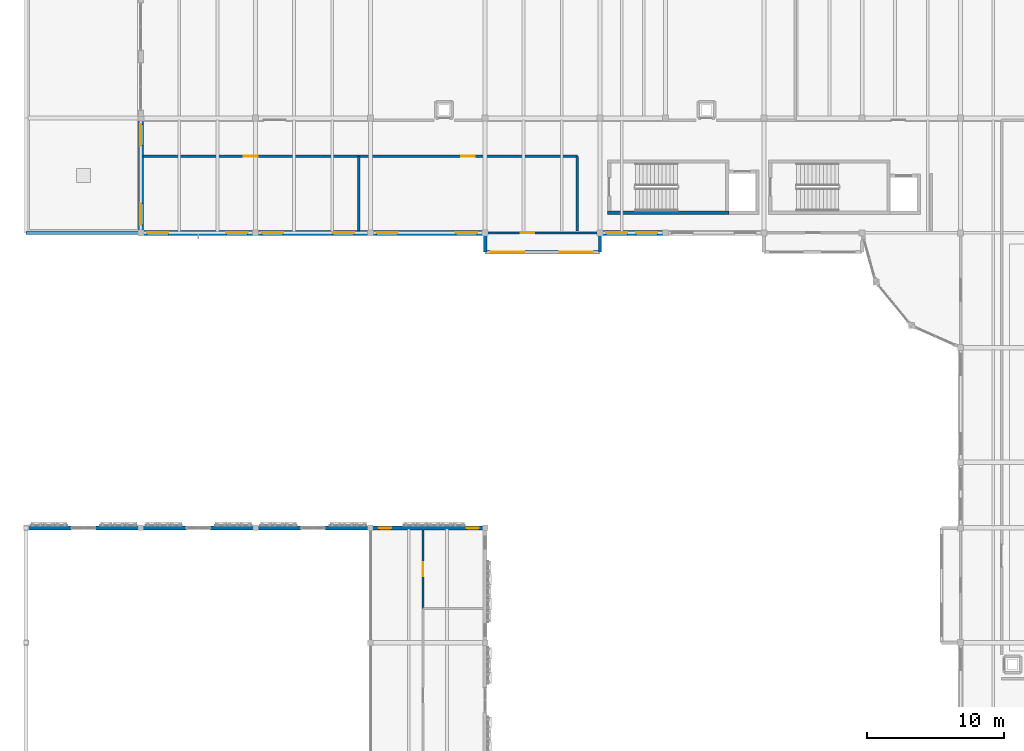
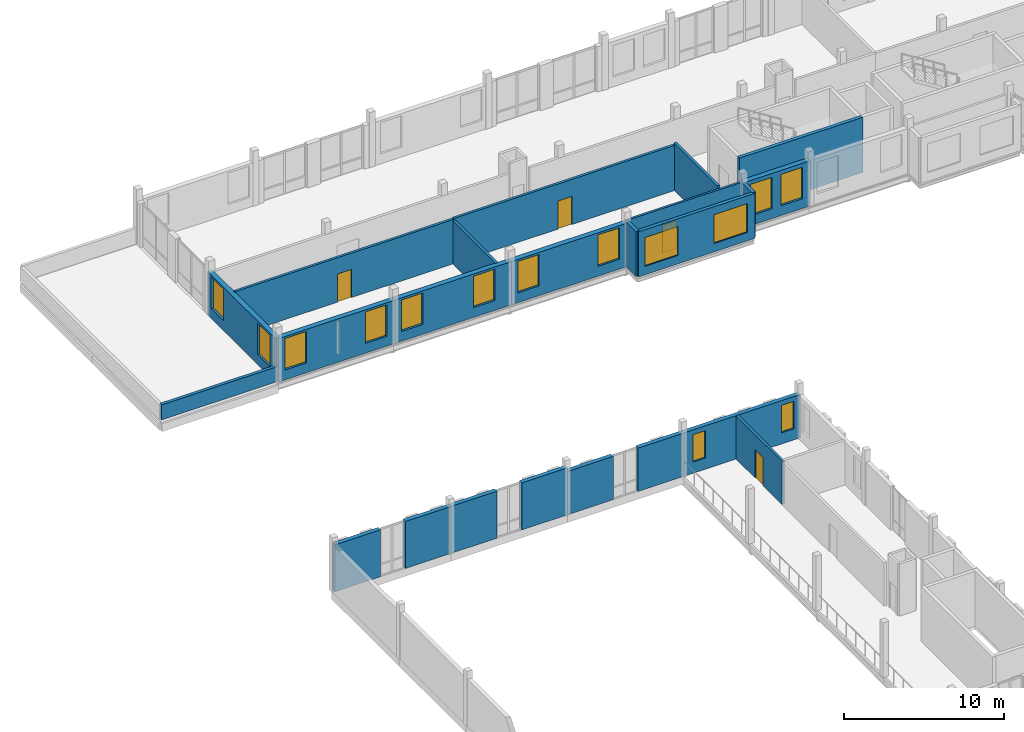
# One storey, part 59 of 81: 23 walls, 14 windows, 4 doors, 18 openings.
"""IFC4 building model written with IfcOpenShell, lengths in metres."""

from ifc_helpers import new_model, si_unit, direction, frame, frame_2d, origin, place, context, subcontext, project, spatial, rectangle, extrude, material, layer, layer_set, type_object, element, fill, save


model = new_model("IFC4")

# Units and contexts
model_context = context("Model", 3, precision=1e-05, world=origin(), true_north=direction((0.0, 1.0)))
body_context = subcontext(model_context, "Body", "Model", "MODEL_VIEW")
ifc_project = project(units=[si_unit("LENGTHUNIT", "METRE"), si_unit("AREAUNIT", "SQUARE_METRE"), si_unit("VOLUMEUNIT", "CUBIC_METRE"), si_unit("PLANEANGLEUNIT", "RADIAN"), si_unit("MASSUNIT", "GRAM", prefix="KILO")], contexts=[model_context])

# Site, building, storey
site_placement = place(None, origin())
site = spatial("IfcSite", under=ifc_project, at=site_placement, CompositionType="ELEMENT")
building_placement = place(site_placement, origin())
building = spatial("IfcBuilding", under=site, at=building_placement, Name="Kahlenmark Community Centre", CompositionType="ELEMENT")
storey_placement = place(building_placement, frame((0.0, 0.0, 9.60009765625)))
storey = spatial("IfcBuildingStorey", under=building, at=storey_placement, Name="L02", CompositionType="ELEMENT", Elevation=9.60009765625)

# Walls
ifc_material_1 = material(Name="Concrete C35/45", Category="concrete")
ifc_layer_1 = layer(ifc_material_1, 0.25)
ifc_layer_set_1 = layer_set([ifc_layer_1], Name="Concrete C35/45")
wall_type_1 = type_object("IfcWallType", Name="WT-CORE-250", PredefinedType="SHEAR", material=ifc_layer_set_1)
wall_1_placement = place(storey_placement, frame((46.550048828125, 99.074951171875, 0.0), z_axis=(0.0, 0.0, 1.0), x_axis=(1.0, 0.0, 0.0)))
element("IfcWall", 1, at=wall_1_placement, inside=storey, type_object=wall_type_1, Name="Core K4 shear wall WL-CORE-K4-L02-0121", PredefinedType="SHEAR", context=body_context, shape_type="SweptSolid", body=[
    extrude(rectangle(XDim=8.89990234375, YDim=0.25, at=frame_2d((4.449951171875, 0.0))), origin(), (0.0, 0.0, 1.0), 4.199951171875),
])
ifc_material_2 = material(Name="Cross-laminated timber CLT C24", Category="wood")
ifc_layer_2 = layer(ifc_material_2, 0.239990234375)
ifc_layer_set_2 = layer_set([ifc_layer_2], Name="Cross-laminated timber CLT C24")
wall_type_2 = type_object("IfcWallType", Name="WT-EW-240", PredefinedType="SOLIDWALL", material=ifc_layer_set_2)
wall_2_placement = place(storey_placement, frame((37.60009765625, 97.449951171875, 0.0), z_axis=(0.0, 0.0, 1.0), x_axis=(0.0, -1.0, 0.0)))
element("IfcWall", 2, at=wall_2_placement, inside=storey, type_object=wall_type_2, Name="Bay oriel wall WL-ORI-L02-0823", PredefinedType="SOLIDWALL", context=body_context, shape_type="SweptSolid", body=[
    extrude(rectangle(XDim=1.25, YDim=0.239990234375, at=frame_2d((0.625, 0.0))), origin(), (0.0, 0.0, 1.0), 3.449951171875),
])

# Wall, openings, windows
wall_3_placement = place(storey_placement, frame((37.60009765625, 96.199951171875, 0.0), z_axis=(0.0, 0.0, 1.0), x_axis=(1.0, 0.0, 0.0)))
wall_3 = element("IfcWall", 3, at=wall_3_placement, inside=storey, type_object=wall_type_2, Name="Bay oriel wall WL-ORI-L02-0824", PredefinedType="SOLIDWALL", context=body_context, shape_type="SweptSolid", body=[
    extrude(rectangle(XDim=8.39990234375, YDim=0.239990234375, at=frame_2d((4.199951171875, 0.0))), origin(), (0.0, 0.0, 1.0), 3.449951171875),
])
opening_1_placement = place(wall_3_placement, frame((0.4599609375, 0.0, 0.64990234375)))
opening_1 = element("IfcOpeningElement", 4, at=opening_1_placement, cuts=wall_3, Name="Opening W-240X220", PredefinedType="OPENING", context=body_context, shape_type="SweptSolid", body=[
    extrude(rectangle(XDim=2.39990234375, YDim=2.199951171875, at=frame_2d((1.199951171875, 1.10009765625))), frame((0.0, 0.1298828125, 0.0), z_axis=(0.0, -1.0, 0.0), x_axis=(1.0, 0.0, 0.0)), (0.0, 0.0, 1.0), 0.260009765625),
])
opening_2_placement = place(wall_3_placement, frame((5.4599609375, 0.0, 0.64990234375)))
opening_2 = element("IfcOpeningElement", 5, at=opening_2_placement, cuts=wall_3, Name="Opening W-240X220", PredefinedType="OPENING", context=body_context, shape_type="SweptSolid", body=[
    extrude(rectangle(XDim=2.39990234375, YDim=2.199951171875, at=frame_2d((1.199951171875, 1.10009765625))), frame((0.0, 0.1298828125, 0.0), z_axis=(0.0, -1.0, 0.0), x_axis=(1.0, 0.0, 0.0)), (0.0, 0.0, 1.0), 0.260009765625),
])
ifc_material_3 = material(Name="Triple low-e insulated glazing in timber-aluminium frame", Category="wood")
window_type_1 = type_object("IfcWindowType", Name="WNT-240X220", PartitioningType="TRIPLE_PANEL_VERTICAL", PredefinedType="WINDOW", material=ifc_material_3)
window_1_placement = place(opening_1_placement, origin())
window_1 = element("IfcWindow", 6, at=window_1_placement, inside=storey, type_object=window_type_1, Name="Window W-240X220 #0513", OverallHeight=2.199951171875, OverallWidth=2.39990234375, PartitioningType="TRIPLE_PANEL_VERTICAL", PredefinedType="WINDOW", context=body_context, shape_type="SweptSolid", body=[
    extrude(rectangle(XDim=2.39990234375, YDim=2.199951171875, at=frame_2d((1.199951171875, 1.10009765625))), frame((0.0, 0.030029296875, 0.0), z_axis=(0.0, -1.0, 0.0), x_axis=(1.0, 0.0, 0.0)), (0.0, 0.0, 1.0), 0.06005859375),
])
fill(opening_1, window_1)
window_2_placement = place(opening_2_placement, origin())
window_2 = element("IfcWindow", 7, at=window_2_placement, inside=storey, type_object=window_type_1, Name="Window W-240X220 #0514", OverallHeight=2.199951171875, OverallWidth=2.39990234375, PartitioningType="TRIPLE_PANEL_VERTICAL", PredefinedType="WINDOW", context=body_context, shape_type="SweptSolid", body=[
    extrude(rectangle(XDim=2.39990234375, YDim=2.199951171875, at=frame_2d((1.199951171875, 1.10009765625))), frame((0.0, 0.030029296875, 0.0), z_axis=(0.0, -1.0, 0.0), x_axis=(1.0, 0.0, 0.0)), (0.0, 0.0, 1.0), 0.06005859375),
])
fill(opening_2, window_2)

# Walls
wall_4_placement = place(storey_placement, frame((46.0, 96.199951171875, 0.0), z_axis=(0.0, 0.0, 1.0), x_axis=(0.0, 1.0, 0.0)))
element("IfcWall", 8, at=wall_4_placement, inside=storey, type_object=wall_type_2, Name="Bay oriel wall WL-ORI-L02-0825", PredefinedType="SOLIDWALL", context=body_context, shape_type="SweptSolid", body=[
    extrude(rectangle(XDim=1.25, YDim=0.239990234375, at=frame_2d((0.625, 0.0))), origin(), (0.0, 0.0, 1.0), 3.449951171875),
])
ifc_layer_3 = layer(ifc_material_2, 0.300048828125)
ifc_layer_set_3 = layer_set([ifc_layer_3], Name="Cross-laminated timber CLT C24")
wall_type_3 = type_object("IfcWallType", Name="WT-EW-300", PredefinedType="SOLIDWALL", material=ifc_layer_set_3)
wall_5_placement = place(storey_placement, frame((12.39990234375, 76.0, 0.0), z_axis=(0.0, 0.0, 1.0), x_axis=(-1.0, 0.0, 0.0)))
element("IfcWall", 9, at=wall_5_placement, inside=storey, type_object=wall_type_3, Name="Basketweave backup wall WL-EXT-L02-0450", PredefinedType="SOLIDWALL", context=body_context, shape_type="SweptSolid", body=[
    extrude(rectangle(XDim=3.2998046875, YDim=0.300048828125, at=frame_2d((1.64990234375, 0.0))), origin(), (0.0, 0.0, 1.0), 3.58984375),
])
for number, where, z_axis, x_axis, name in (
    (10, (7.300048828125, 76.0, 0.0), (0.0, 0.0, 1.0), (-1.0, 0.0, 0.0), "Basketweave backup wall WL-EXT-L02-0451"),
    (11, (20.800048828125, 76.0, 0.0), (0.0, 0.0, 1.0), (-1.0, 0.0, 0.0), "Basketweave backup wall WL-EXT-L02-0452"),
    (12, (15.699951171875, 76.0, 0.0), (0.0, 0.0, 1.0), (-1.0, 0.0, 0.0), "Basketweave backup wall WL-EXT-L02-0453"),
):
    element("IfcWall", number, at=place(storey_placement, frame(where, z_axis=z_axis, x_axis=x_axis)), inside=storey, type_object=wall_type_3, Name=name, PredefinedType="SOLIDWALL", context=body_context, shape_type="SweptSolid", body=[
        extrude(rectangle(XDim=3.300048828125, YDim=0.300048828125, at=frame_2d((1.64990234375, 0.0))), origin(), (0.0, 0.0, 1.0), 3.58984375),
    ])
for number, where, z_axis, x_axis, name in (
    (13, (29.199951171875, 76.0, 0.0), (0.0, 0.0, 1.0), (-1.0, 0.0, 0.0), "Basketweave backup wall WL-EXT-L02-0454"),
    (14, (24.10009765625, 76.0, 0.0), (0.0, 0.0, 1.0), (-1.0, 0.0, 0.0), "Basketweave backup wall WL-EXT-L02-0455"),
):
    element("IfcWall", number, at=place(storey_placement, frame(where, z_axis=z_axis, x_axis=x_axis)), inside=storey, type_object=wall_type_3, Name=name, PredefinedType="SOLIDWALL", context=body_context, shape_type="SweptSolid", body=[
        extrude(rectangle(XDim=3.300048828125, YDim=0.300048828125, at=frame_2d((1.64990234375, 0.0))), origin(), (0.0, 0.0, 1.0), 3.309814453125),
    ])

# Wall, openings, windows
wall_6_placement = place(storey_placement, frame((37.60009765625, 76.0, 0.0), z_axis=(0.0, 0.0, 1.0), x_axis=(-1.0, 0.0, 0.0)))
wall_6 = element("IfcWall", 15, at=wall_6_placement, inside=storey, type_object=wall_type_3, Name="Exterior wall WL-EXT-L02-0456", PredefinedType="SOLIDWALL", context=body_context, shape_type="SweptSolid", body=[
    extrude(rectangle(XDim=8.400146484375, YDim=0.300048828125, at=frame_2d((4.2001953125, 0.0))), origin(), (0.0, 0.0, 1.0), 3.309814453125),
])
opening_3_placement = place(wall_6_placement, frame((0.4599609375, 0.0, 0.85009765625)))
opening_3 = element("IfcOpeningElement", 16, at=opening_3_placement, cuts=wall_6, Name="Opening W-090X210", PredefinedType="OPENING", context=body_context, shape_type="SweptSolid", body=[
    extrude(rectangle(XDim=0.89990234375, YDim=2.10009765625, at=frame_2d((0.449951171875, 1.050048828125))), frame((0.0, 0.159912109375, 0.0), z_axis=(0.0, -1.0, 0.0), x_axis=(1.0, 0.0, 0.0)), (0.0, 0.0, 1.0), 0.320068359375),
])
opening_4_placement = place(wall_6_placement, frame((6.860107421875, 0.0, 0.85009765625)))
opening_4 = element("IfcOpeningElement", 17, at=opening_4_placement, cuts=wall_6, Name="Opening W-090X210", PredefinedType="OPENING", context=body_context, shape_type="SweptSolid", body=[
    extrude(rectangle(XDim=0.89990234375, YDim=2.10009765625, at=frame_2d((0.449951171875, 1.050048828125))), frame((0.0, 0.159912109375, 0.0), z_axis=(0.0, -1.0, 0.0), x_axis=(1.0, 0.0, 0.0)), (0.0, 0.0, 1.0), 0.320068359375),
])
ifc_material_4 = material(Name="Recessed basketweave aperture triple glazing", Category="glass")
window_type_2 = type_object("IfcWindowType", Name="WNT-090X210", PartitioningType="SINGLE_PANEL", PredefinedType="WINDOW", material=ifc_material_4)
window_3_placement = place(opening_3_placement, origin())
window_3 = element("IfcWindow", 18, at=window_3_placement, inside=storey, type_object=window_type_2, Name="Window W-090X210 #0271", OverallHeight=2.10009765625, OverallWidth=0.89990234375, PartitioningType="SINGLE_PANEL", PredefinedType="WINDOW", context=body_context, shape_type="SweptSolid", body=[
    extrude(rectangle(XDim=0.89990234375, YDim=2.10009765625, at=frame_2d((0.449951171875, 1.050048828125))), frame((0.0, 0.030029296875, 0.0), z_axis=(0.0, -1.0, 0.0), x_axis=(1.0, 0.0, 0.0)), (0.0, 0.0, 1.0), 0.06005859375),
])
fill(opening_3, window_3)
window_4_placement = place(opening_4_placement, origin())
window_4 = element("IfcWindow", 19, at=window_4_placement, inside=storey, type_object=window_type_2, Name="Window W-090X210 #0272", OverallHeight=2.10009765625, OverallWidth=0.89990234375, PartitioningType="SINGLE_PANEL", PredefinedType="WINDOW", context=body_context, shape_type="SweptSolid", body=[
    extrude(rectangle(XDim=0.89990234375, YDim=2.10009765625, at=frame_2d((0.449951171875, 1.050048828125))), frame((0.0, 0.030029296875, 0.0), z_axis=(0.0, -1.0, 0.0), x_axis=(1.0, 0.0, 0.0)), (0.0, 0.0, 1.0), 0.06005859375),
])
fill(opening_4, window_4)

ifc_material_5 = material(Name="Danube limestone masonry", Category="masonry")
ifc_layer_4 = layer(ifc_material_5, 0.360107421875)
ifc_layer_set_4 = layer_set([ifc_layer_4], Name="Danube limestone masonry")
wall_type_4 = type_object("IfcWallType", Name="WT-EW-360", PredefinedType="SOLIDWALL", material=ifc_layer_set_4)
wall_7_placement = place(storey_placement, frame((12.39990234375, 97.60009765625, 0.0), z_axis=(0.0, 0.0, 1.0), x_axis=(1.0, 0.0, 0.0)))
wall_7 = element("IfcWall", 20, at=wall_7_placement, inside=storey, type_object=wall_type_4, Name="Exterior wall WL-EXT-L02-0491", PredefinedType="SOLIDWALL", context=body_context, shape_type="SweptSolid", body=[
    extrude(rectangle(XDim=8.400146484375, YDim=0.360107421875, at=frame_2d((4.2001953125, 0.0))), origin(), (0.0, 0.0, 1.0), 3.309814453125),
])
opening_5_placement = place(wall_7_placement, frame((0.4599609375, 0.0, 0.75)))
opening_5 = element("IfcOpeningElement", 21, at=opening_5_placement, cuts=wall_7, Name="Opening W-155X240", PredefinedType="OPENING", context=body_context, shape_type="SweptSolid", body=[
    extrude(rectangle(XDim=1.550048828125, YDim=2.39990234375, at=frame_2d((0.77490234375, 1.199951171875))), frame((0.0, 0.18994140625, 0.0), z_axis=(0.0, -1.0, 0.0), x_axis=(1.0, 0.0, 0.0)), (0.0, 0.0, 1.0), 0.380126953125),
])
opening_6_placement = place(wall_7_placement, frame((6.260009765625, 0.0, 0.75)))
opening_6 = element("IfcOpeningElement", 22, at=opening_6_placement, cuts=wall_7, Name="Opening W-155X240", PredefinedType="OPENING", context=body_context, shape_type="SweptSolid", body=[
    extrude(rectangle(XDim=1.550048828125, YDim=2.39990234375, at=frame_2d((0.77490234375, 1.199951171875))), frame((0.0, 0.18994140625, 0.0), z_axis=(0.0, -1.0, 0.0), x_axis=(1.0, 0.0, 0.0)), (0.0, 0.0, 1.0), 0.380126953125),
])
ifc_material_6 = material(Name="Deep-reveal limestone punched triple glazing", Category="masonry")
window_type_3 = type_object("IfcWindowType", Name="WNT-155X240", PartitioningType="DOUBLE_PANEL_HORIZONTAL", PredefinedType="WINDOW", material=ifc_material_6)
window_5_placement = place(opening_5_placement, origin())
window_5 = element("IfcWindow", 23, at=window_5_placement, inside=storey, type_object=window_type_3, Name="Window W-155X240 #0285", OverallHeight=2.39990234375, OverallWidth=1.550048828125, PartitioningType="DOUBLE_PANEL_HORIZONTAL", PredefinedType="WINDOW", context=body_context, shape_type="SweptSolid", body=[
    extrude(rectangle(XDim=1.550048828125, YDim=2.39990234375, at=frame_2d((0.77490234375, 1.199951171875))), frame((0.0, 0.030029296875, 0.0), z_axis=(0.0, -1.0, 0.0), x_axis=(1.0, 0.0, 0.0)), (0.0, 0.0, 1.0), 0.06005859375),
])
fill(opening_5, window_5)
window_6_placement = place(opening_6_placement, origin())
window_6 = element("IfcWindow", 24, at=window_6_placement, inside=storey, type_object=window_type_3, Name="Window W-155X240 #0286", OverallHeight=2.39990234375, OverallWidth=1.550048828125, PartitioningType="DOUBLE_PANEL_HORIZONTAL", PredefinedType="WINDOW", context=body_context, shape_type="SweptSolid", body=[
    extrude(rectangle(XDim=1.550048828125, YDim=2.39990234375, at=frame_2d((0.77490234375, 1.199951171875))), frame((0.0, 0.030029296875, 0.0), z_axis=(0.0, -1.0, 0.0), x_axis=(1.0, 0.0, 0.0)), (0.0, 0.0, 1.0), 0.06005859375),
])
fill(opening_6, window_6)

wall_8_placement = place(storey_placement, frame((20.800048828125, 97.60009765625, 0.0), z_axis=(0.0, 0.0, 1.0), x_axis=(1.0, 0.0, 0.0)))
wall_8 = element("IfcWall", 25, at=wall_8_placement, inside=storey, type_object=wall_type_4, Name="Exterior wall WL-EXT-L02-0492", PredefinedType="SOLIDWALL", context=body_context, shape_type="SweptSolid", body=[
    extrude(rectangle(XDim=8.39990234375, YDim=0.360107421875, at=frame_2d((4.199951171875, 0.0))), origin(), (0.0, 0.0, 1.0), 3.309814453125),
])
opening_7_placement = place(wall_8_placement, frame((0.4599609375, 0.0, 0.75)))
opening_7 = element("IfcOpeningElement", 26, at=opening_7_placement, cuts=wall_8, Name="Opening W-155X240", PredefinedType="OPENING", context=body_context, shape_type="SweptSolid", body=[
    extrude(rectangle(XDim=1.550048828125, YDim=2.39990234375, at=frame_2d((0.77490234375, 1.199951171875))), frame((0.0, 0.18994140625, 0.0), z_axis=(0.0, -1.0, 0.0), x_axis=(1.0, 0.0, 0.0)), (0.0, 0.0, 1.0), 0.380126953125),
])
opening_8_placement = place(wall_8_placement, frame((5.659912109375, 0.0, 0.75)))
opening_8 = element("IfcOpeningElement", 27, at=opening_8_placement, cuts=wall_8, Name="Opening W-155X240", PredefinedType="OPENING", context=body_context, shape_type="SweptSolid", body=[
    extrude(rectangle(XDim=1.550048828125, YDim=2.39990234375, at=frame_2d((0.77490234375, 1.199951171875))), frame((0.0, 0.18994140625, 0.0), z_axis=(0.0, -1.0, 0.0), x_axis=(1.0, 0.0, 0.0)), (0.0, 0.0, 1.0), 0.380126953125),
])
window_7_placement = place(opening_7_placement, origin())
window_7 = element("IfcWindow", 28, at=window_7_placement, inside=storey, type_object=window_type_3, Name="Window W-155X240 #0287", OverallHeight=2.39990234375, OverallWidth=1.550048828125, PartitioningType="DOUBLE_PANEL_HORIZONTAL", PredefinedType="WINDOW", context=body_context, shape_type="SweptSolid", body=[
    extrude(rectangle(XDim=1.550048828125, YDim=2.39990234375, at=frame_2d((0.77490234375, 1.199951171875))), frame((0.0, 0.030029296875, 0.0), z_axis=(0.0, -1.0, 0.0), x_axis=(1.0, 0.0, 0.0)), (0.0, 0.0, 1.0), 0.06005859375),
])
fill(opening_7, window_7)
window_8_placement = place(opening_8_placement, origin())
window_8 = element("IfcWindow", 29, at=window_8_placement, inside=storey, type_object=window_type_3, Name="Window W-155X240 #0288", OverallHeight=2.39990234375, OverallWidth=1.550048828125, PartitioningType="DOUBLE_PANEL_HORIZONTAL", PredefinedType="WINDOW", context=body_context, shape_type="SweptSolid", body=[
    extrude(rectangle(XDim=1.550048828125, YDim=2.39990234375, at=frame_2d((0.77490234375, 1.199951171875))), frame((0.0, 0.030029296875, 0.0), z_axis=(0.0, -1.0, 0.0), x_axis=(1.0, 0.0, 0.0)), (0.0, 0.0, 1.0), 0.06005859375),
])
fill(opening_8, window_8)

wall_9_placement = place(storey_placement, frame((29.199951171875, 97.60009765625, 0.0), z_axis=(0.0, 0.0, 1.0), x_axis=(1.0, 0.0, 0.0)))
wall_9 = element("IfcWall", 30, at=wall_9_placement, inside=storey, type_object=wall_type_4, Name="Exterior wall WL-EXT-L02-0493", PredefinedType="SOLIDWALL", context=body_context, shape_type="SweptSolid", body=[
    extrude(rectangle(XDim=8.400146484375, YDim=0.360107421875, at=frame_2d((4.2001953125, 0.0))), origin(), (0.0, 0.0, 1.0), 3.309814453125),
])
opening_9_placement = place(wall_9_placement, frame((0.4599609375, 0.0, 0.75)))
opening_9 = element("IfcOpeningElement", 31, at=opening_9_placement, cuts=wall_9, Name="Opening W-155X240", PredefinedType="OPENING", context=body_context, shape_type="SweptSolid", body=[
    extrude(rectangle(XDim=1.550048828125, YDim=2.39990234375, at=frame_2d((0.77490234375, 1.199951171875))), frame((0.0, 0.18994140625, 0.0), z_axis=(0.0, -1.0, 0.0), x_axis=(1.0, 0.0, 0.0)), (0.0, 0.0, 1.0), 0.380126953125),
])
opening_10_placement = place(wall_9_placement, frame((6.260009765625, 0.0, 0.75)))
opening_10 = element("IfcOpeningElement", 32, at=opening_10_placement, cuts=wall_9, Name="Opening W-155X240", PredefinedType="OPENING", context=body_context, shape_type="SweptSolid", body=[
    extrude(rectangle(XDim=1.550048828125, YDim=2.39990234375, at=frame_2d((0.77490234375, 1.199951171875))), frame((0.0, 0.18994140625, 0.0), z_axis=(0.0, -1.0, 0.0), x_axis=(1.0, 0.0, 0.0)), (0.0, 0.0, 1.0), 0.380126953125),
])
window_9_placement = place(opening_9_placement, origin())
window_9 = element("IfcWindow", 33, at=window_9_placement, inside=storey, type_object=window_type_3, Name="Window W-155X240 #0289", OverallHeight=2.39990234375, OverallWidth=1.550048828125, PartitioningType="DOUBLE_PANEL_HORIZONTAL", PredefinedType="WINDOW", context=body_context, shape_type="SweptSolid", body=[
    extrude(rectangle(XDim=1.550048828125, YDim=2.39990234375, at=frame_2d((0.77490234375, 1.199951171875))), frame((0.0, 0.030029296875, 0.0), z_axis=(0.0, -1.0, 0.0), x_axis=(1.0, 0.0, 0.0)), (0.0, 0.0, 1.0), 0.06005859375),
])
fill(opening_9, window_9)
window_10_placement = place(opening_10_placement, origin())
window_10 = element("IfcWindow", 34, at=window_10_placement, inside=storey, type_object=window_type_3, Name="Window W-155X240 #0290", OverallHeight=2.39990234375, OverallWidth=1.550048828125, PartitioningType="DOUBLE_PANEL_HORIZONTAL", PredefinedType="WINDOW", context=body_context, shape_type="SweptSolid", body=[
    extrude(rectangle(XDim=1.550048828125, YDim=2.39990234375, at=frame_2d((0.77490234375, 1.199951171875))), frame((0.0, 0.030029296875, 0.0), z_axis=(0.0, -1.0, 0.0), x_axis=(1.0, 0.0, 0.0)), (0.0, 0.0, 1.0), 0.06005859375),
])
fill(opening_10, window_10)

wall_10_placement = place(storey_placement, frame((46.0, 97.60009765625, 0.0), z_axis=(0.0, 0.0, 1.0), x_axis=(1.0, 0.0, 0.0)))
wall_10 = element("IfcWall", 35, at=wall_10_placement, inside=storey, type_object=wall_type_4, Name="Exterior wall WL-EXT-L02-0494", PredefinedType="SOLIDWALL", context=body_context, shape_type="SweptSolid", body=[
    extrude(rectangle(XDim=4.800048828125, YDim=0.360107421875, at=frame_2d((2.39990234375, 0.0))), origin(), (0.0, 0.0, 1.0), 3.449951171875),
])
opening_11_placement = place(wall_10_placement, frame((0.4599609375, 0.0, 0.75)))
opening_11 = element("IfcOpeningElement", 36, at=opening_11_placement, cuts=wall_10, Name="Opening W-155X240", PredefinedType="OPENING", context=body_context, shape_type="SweptSolid", body=[
    extrude(rectangle(XDim=1.550048828125, YDim=2.39990234375, at=frame_2d((0.77490234375, 1.199951171875))), frame((0.0, 0.18994140625, 0.0), z_axis=(0.0, -1.0, 0.0), x_axis=(1.0, 0.0, 0.0)), (0.0, 0.0, 1.0), 0.380126953125),
])
opening_12_placement = place(wall_10_placement, frame((2.659912109375, 0.0, 0.75)))
opening_12 = element("IfcOpeningElement", 37, at=opening_12_placement, cuts=wall_10, Name="Opening W-155X240", PredefinedType="OPENING", context=body_context, shape_type="SweptSolid", body=[
    extrude(rectangle(XDim=1.550048828125, YDim=2.39990234375, at=frame_2d((0.77490234375, 1.199951171875))), frame((0.0, 0.18994140625, 0.0), z_axis=(0.0, -1.0, 0.0), x_axis=(1.0, 0.0, 0.0)), (0.0, 0.0, 1.0), 0.380126953125),
])
window_11_placement = place(opening_11_placement, origin())
window_11 = element("IfcWindow", 38, at=window_11_placement, inside=storey, type_object=window_type_3, Name="Window W-155X240 #0291", OverallHeight=2.39990234375, OverallWidth=1.550048828125, PartitioningType="DOUBLE_PANEL_HORIZONTAL", PredefinedType="WINDOW", context=body_context, shape_type="SweptSolid", body=[
    extrude(rectangle(XDim=1.550048828125, YDim=2.39990234375, at=frame_2d((0.77490234375, 1.199951171875))), frame((0.0, 0.030029296875, 0.0), z_axis=(0.0, -1.0, 0.0), x_axis=(1.0, 0.0, 0.0)), (0.0, 0.0, 1.0), 0.06005859375),
])
fill(opening_11, window_11)
window_12_placement = place(opening_12_placement, origin())
window_12 = element("IfcWindow", 39, at=window_12_placement, inside=storey, type_object=window_type_3, Name="Window W-155X240 #0292", OverallHeight=2.39990234375, OverallWidth=1.550048828125, PartitioningType="DOUBLE_PANEL_HORIZONTAL", PredefinedType="WINDOW", context=body_context, shape_type="SweptSolid", body=[
    extrude(rectangle(XDim=1.550048828125, YDim=2.39990234375, at=frame_2d((0.77490234375, 1.199951171875))), frame((0.0, 0.030029296875, 0.0), z_axis=(0.0, -1.0, 0.0), x_axis=(1.0, 0.0, 0.0)), (0.0, 0.0, 1.0), 0.06005859375),
])
fill(opening_12, window_12)

wall_11_placement = place(storey_placement, frame((12.39990234375, 106.0, 0.0), z_axis=(0.0, 0.0, 1.0), x_axis=(0.0, -1.0, 0.0)))
wall_11 = element("IfcWall", 40, at=wall_11_placement, inside=storey, type_object=wall_type_4, Name="Exterior wall WL-EXT-L02-0514", PredefinedType="SOLIDWALL", context=body_context, shape_type="SweptSolid", body=[
    extrude(rectangle(XDim=8.39990234375, YDim=0.360107421875, at=frame_2d((4.199951171875, 0.0))), origin(), (0.0, 0.0, 1.0), 3.309814453125),
])
opening_13_placement = place(wall_11_placement, frame((0.4599609375, 0.0, 0.75)))
opening_13 = element("IfcOpeningElement", 41, at=opening_13_placement, cuts=wall_11, Name="Opening W-155X240", PredefinedType="OPENING", context=body_context, shape_type="SweptSolid", body=[
    extrude(rectangle(XDim=1.550048828125, YDim=2.39990234375, at=frame_2d((0.77490234375, 1.199951171875))), frame((0.0, 0.18994140625, 0.0), z_axis=(0.0, -1.0, 0.0), x_axis=(1.0, 0.0, 0.0)), (0.0, 0.0, 1.0), 0.380126953125),
])
opening_14_placement = place(wall_11_placement, frame((6.260009765625, 0.0, 0.75)))
opening_14 = element("IfcOpeningElement", 42, at=opening_14_placement, cuts=wall_11, Name="Opening W-155X240", PredefinedType="OPENING", context=body_context, shape_type="SweptSolid", body=[
    extrude(rectangle(XDim=1.550048828125, YDim=2.39990234375, at=frame_2d((0.77490234375, 1.199951171875))), frame((0.0, 0.18994140625, 0.0), z_axis=(0.0, -1.0, 0.0), x_axis=(1.0, 0.0, 0.0)), (0.0, 0.0, 1.0), 0.380126953125),
])
window_13_placement = place(opening_13_placement, origin())
window_13 = element("IfcWindow", 43, at=window_13_placement, inside=storey, type_object=window_type_3, Name="Window W-155X240 #0307", OverallHeight=2.39990234375, OverallWidth=1.550048828125, PartitioningType="DOUBLE_PANEL_HORIZONTAL", PredefinedType="WINDOW", context=body_context, shape_type="SweptSolid", body=[
    extrude(rectangle(XDim=1.550048828125, YDim=2.39990234375, at=frame_2d((0.77490234375, 1.199951171875))), frame((0.0, 0.030029296875, 0.0), z_axis=(0.0, -1.0, 0.0), x_axis=(1.0, 0.0, 0.0)), (0.0, 0.0, 1.0), 0.06005859375),
])
fill(opening_13, window_13)
window_14_placement = place(opening_14_placement, origin())
window_14 = element("IfcWindow", 44, at=window_14_placement, inside=storey, type_object=window_type_3, Name="Window W-155X240 #0308", OverallHeight=2.39990234375, OverallWidth=1.550048828125, PartitioningType="DOUBLE_PANEL_HORIZONTAL", PredefinedType="WINDOW", context=body_context, shape_type="SweptSolid", body=[
    extrude(rectangle(XDim=1.550048828125, YDim=2.39990234375, at=frame_2d((0.77490234375, 1.199951171875))), frame((0.0, 0.030029296875, 0.0), z_axis=(0.0, -1.0, 0.0), x_axis=(1.0, 0.0, 0.0)), (0.0, 0.0, 1.0), 0.06005859375),
])
fill(opening_14, window_14)

# Wall
ifc_material_7 = material(Name="Concrete C30/37", Category="concrete")
ifc_layer_5 = layer(ifc_material_7, 0.219970703125)
ifc_layer_set_5 = layer_set([ifc_layer_5], Name="Concrete C30/37")
wall_type_5 = type_object("IfcWallType", Name="WT-PAR-220", PredefinedType="PARAPET", material=ifc_layer_set_5)
wall_12_placement = place(storey_placement, frame((4.0, 97.60009765625, 0.0), z_axis=(0.0, 0.0, 1.0), x_axis=(1.0, 0.0, 0.0)))
element("IfcWall", 45, at=wall_12_placement, inside=storey, type_object=wall_type_5, Name="Roof parapet 1036", PredefinedType="PARAPET", context=body_context, shape_type="SweptSolid", body=[
    extrude(rectangle(XDim=8.39990234375, YDim=0.219970703125, at=frame_2d((4.199951171875, 0.0))), origin(), (0.0, 0.0, 1.0), 1.14990234375),
])

# Wall, opening, door
ifc_material_8 = material(Name="Gypsum plasterboard partition", Category="gypsum")
ifc_layer_6 = layer(ifc_material_8, 0.14990234375)
ifc_layer_set_6 = layer_set([ifc_layer_6], Name="Gypsum plasterboard partition")
wall_type_6 = type_object("IfcWallType", Name="WT-PW-150", PredefinedType="PARTITIONING", material=ifc_layer_set_6)
wall_13_placement = place(storey_placement, frame((37.60009765625, 97.60009765625, 0.0), z_axis=(0.0, 0.0, 1.0), x_axis=(1.0, 0.0, 0.0)))
wall_13 = element("IfcWall", 46, at=wall_13_placement, inside=storey, type_object=wall_type_6, Name="Interior partition WL-INT-L02-0191", PredefinedType="PARTITIONING", context=body_context, shape_type="SweptSolid", body=[
    extrude(rectangle(XDim=8.39990234375, YDim=0.14990234375, at=frame_2d((4.199951171875, 0.0))), origin(), (0.0, 0.0, 1.0), 3.449951171875),
])
opening_15_placement = place(wall_13_placement, frame((2.590087890625, 0.0, -0.010009765625)))
opening_15 = element("IfcOpeningElement", 47, at=opening_15_placement, cuts=wall_13, Name="Opening D-L02-112", PredefinedType="OPENING", context=body_context, shape_type="SweptSolid", body=[
    extrude(rectangle(XDim=1.0, YDim=2.159912109375, at=frame_2d((0.5, 1.080078125))), frame((0.0, 0.0849609375, 0.0), z_axis=(0.0, -1.0, 0.0), x_axis=(1.0, 0.0, 0.0)), (0.0, 0.0, 1.0), 0.169921875),
])
ifc_material_9 = material(Name="Oak timber veneer door leaf", Category="wood")
door_type = type_object("IfcDoorType", Name="DT-INT-100X215", OperationType="NOTDEFINED", PredefinedType="DOOR", material=ifc_material_9)
door_1_placement = place(opening_15_placement, frame((0.0, 0.0, 0.010009765625)))
door_1 = element("IfcDoor", 48, at=door_1_placement, inside=storey, type_object=door_type, Name="Interior door D-L02-112", OperationType="SINGLE_SWING_LEFT", OverallHeight=2.14990234375, OverallWidth=1.0, PredefinedType="DOOR", context=body_context, shape_type="SweptSolid", body=[
    extrude(rectangle(XDim=1.0, YDim=2.14990234375, at=frame_2d((0.5, 1.074951171875))), frame((0.0, 0.02490234375, 0.0), z_axis=(0.0, -1.0, 0.0), x_axis=(1.0, 0.0, 0.0)), (0.0, 0.0, 1.0), 0.050048828125),
])
fill(opening_15, door_1)

ifc_layer_7 = layer(ifc_material_8, 0.179931640625)
ifc_layer_set_7 = layer_set([ifc_layer_7], Name="Gypsum plasterboard partition")
wall_type_7 = type_object("IfcWallType", Name="WT-PW-180", PredefinedType="PARTITIONING", material=ifc_layer_set_7)
wall_14_placement = place(storey_placement, frame((33.050048828125, 70.10009765625, 0.0), z_axis=(0.0, 0.0, 1.0), x_axis=(0.0, 1.0, 0.0)))
wall_14 = element("IfcWall", 49, at=wall_14_placement, inside=storey, type_object=wall_type_7, Name="Interior partition WL-INT-L02-0170", PredefinedType="PARTITIONING", context=body_context, shape_type="SweptSolid", body=[
    extrude(rectangle(XDim=5.760009765625, YDim=0.179931640625, at=frame_2d((2.8798828125, 0.0))), origin(), (0.0, 0.0, 1.0), 3.309814453125),
])
opening_16_placement = place(wall_14_placement, frame((2.3798828125, 0.0, -0.010009765625)))
opening_16 = element("IfcOpeningElement", 50, at=opening_16_placement, cuts=wall_14, Name="Opening D-L02-099", PredefinedType="OPENING", context=body_context, shape_type="SweptSolid", body=[
    extrude(rectangle(XDim=1.0, YDim=2.159912109375, at=frame_2d((0.5, 1.080078125))), frame((0.0, 0.099853515625, 0.0), z_axis=(0.0, -1.0, 0.0), x_axis=(1.0, 0.0, 0.0)), (0.0, 0.0, 1.0), 0.199951171875),
])
door_2_placement = place(opening_16_placement, frame((1.0, 0.0, 0.010009765625), z_axis=(0.0, 0.0, 1.0), x_axis=(-1.0, 0.0, 0.0)))
door_2 = element("IfcDoor", 51, at=door_2_placement, inside=storey, type_object=door_type, Name="Interior door D-L02-099", OperationType="SINGLE_SWING_RIGHT", OverallHeight=2.14990234375, OverallWidth=1.0, PredefinedType="DOOR", context=body_context, shape_type="SweptSolid", body=[
    extrude(rectangle(XDim=1.0, YDim=2.14990234375, at=frame_2d((0.5, 1.074951171875))), frame((0.0, 0.02490234375, 0.0), z_axis=(0.0, -1.0, 0.0), x_axis=(1.0, 0.0, 0.0)), (0.0, 0.0, 1.0), 0.050048828125),
])
fill(opening_16, door_2)

wall_15_placement = place(storey_placement, frame((12.5400390625, 103.199951171875, 0.0), z_axis=(0.0, 0.0, 1.0), x_axis=(1.0, 0.0, 0.0)))
wall_15 = element("IfcWall", 52, at=wall_15_placement, inside=storey, type_object=wall_type_7, Name="Interior partition WL-INT-L02-0184", PredefinedType="PARTITIONING", context=body_context, shape_type="SweptSolid", body=[
    extrude(rectangle(XDim=15.81005859375, YDim=0.179931640625, at=frame_2d((7.905029296875, 0.0))), origin(), (0.0, 0.0, 1.0), 3.389892578125),
])
opening_17_placement = place(wall_15_placement, frame((7.405029296875, 0.0, -0.010009765625)))
opening_17 = element("IfcOpeningElement", 53, at=opening_17_placement, cuts=wall_15, Name="Opening D-L02-107", PredefinedType="OPENING", context=body_context, shape_type="SweptSolid", body=[
    extrude(rectangle(XDim=1.0, YDim=2.159912109375, at=frame_2d((0.5, 1.080078125))), frame((0.0, 0.099853515625, 0.0), z_axis=(0.0, -1.0, 0.0), x_axis=(1.0, 0.0, 0.0)), (0.0, 0.0, 1.0), 0.199951171875),
])
door_3_placement = place(opening_17_placement, frame((0.0, 0.0, 0.010009765625)))
door_3 = element("IfcDoor", 54, at=door_3_placement, inside=storey, type_object=door_type, Name="Interior door D-L02-107", OperationType="SINGLE_SWING_RIGHT", OverallHeight=2.14990234375, OverallWidth=1.0, PredefinedType="DOOR", context=body_context, shape_type="SweptSolid", body=[
    extrude(rectangle(XDim=1.0, YDim=2.14990234375, at=frame_2d((0.5, 1.074951171875))), frame((0.0, 0.02490234375, 0.0), z_axis=(0.0, -1.0, 0.0), x_axis=(1.0, 0.0, 0.0)), (0.0, 0.0, 1.0), 0.050048828125),
])
fill(opening_17, door_3)

wall_16_placement = place(storey_placement, frame((28.35009765625, 103.199951171875, 0.0), z_axis=(0.0, 0.0, 1.0), x_axis=(1.0, 0.0, 0.0)))
wall_16 = element("IfcWall", 55, at=wall_16_placement, inside=storey, type_object=wall_type_7, Name="Interior partition WL-INT-L02-0185", PredefinedType="PARTITIONING", context=body_context, shape_type="SweptSolid", body=[
    extrude(rectangle(XDim=16.0, YDim=0.179931640625, at=frame_2d((8.0, 0.0))), origin(), (0.0, 0.0, 1.0), 3.449951171875),
])
opening_18_placement = place(wall_16_placement, frame((7.5, 0.0, -0.010009765625)))
opening_18 = element("IfcOpeningElement", 56, at=opening_18_placement, cuts=wall_16, Name="Opening D-L02-108", PredefinedType="OPENING", context=body_context, shape_type="SweptSolid", body=[
    extrude(rectangle(XDim=1.0, YDim=2.159912109375, at=frame_2d((0.5, 1.080078125))), frame((0.0, 0.099853515625, 0.0), z_axis=(0.0, -1.0, 0.0), x_axis=(1.0, 0.0, 0.0)), (0.0, 0.0, 1.0), 0.199951171875),
])
door_4_placement = place(opening_18_placement, frame((1.0, 0.0, 0.010009765625), z_axis=(0.0, 0.0, 1.0), x_axis=(-1.0, 0.0, 0.0)))
door_4 = element("IfcDoor", 57, at=door_4_placement, inside=storey, type_object=door_type, Name="Interior door D-L02-108", OperationType="SINGLE_SWING_LEFT", OverallHeight=2.14990234375, OverallWidth=1.0, PredefinedType="DOOR", context=body_context, shape_type="SweptSolid", body=[
    extrude(rectangle(XDim=1.0, YDim=2.14990234375, at=frame_2d((0.5, 1.074951171875))), frame((0.0, 0.02490234375, 0.0), z_axis=(0.0, -1.0, 0.0), x_axis=(1.0, 0.0, 0.0)), (0.0, 0.0, 1.0), 0.050048828125),
])
fill(opening_18, door_4)

# Walls
wall_17_placement = place(storey_placement, frame((28.35009765625, 97.739990234375, 0.0), z_axis=(0.0, 0.0, 1.0), x_axis=(0.0, 1.0, 0.0)))
element("IfcWall", 58, at=wall_17_placement, inside=storey, type_object=wall_type_7, Name="Interior partition WL-INT-L02-0186", PredefinedType="PARTITIONING", context=body_context, shape_type="SweptSolid", body=[
    extrude(rectangle(XDim=5.4599609375, YDim=0.179931640625, at=frame_2d((2.72998046875, 0.0))), origin(), (0.0, 0.0, 1.0), 3.309814453125),
])
wall_18_placement = place(storey_placement, frame((44.35009765625, 97.739990234375, 0.0), z_axis=(0.0, 0.0, 1.0), x_axis=(0.0, 1.0, 0.0)))
element("IfcWall", 59, at=wall_18_placement, inside=storey, type_object=wall_type_7, Name="Interior partition WL-INT-L02-0187", PredefinedType="PARTITIONING", context=body_context, shape_type="SweptSolid", body=[
    extrude(rectangle(XDim=5.4599609375, YDim=0.179931640625, at=frame_2d((2.72998046875, 0.0))), origin(), (0.0, 0.0, 1.0), 3.60986328125),
])

save(model, "model.ifc")
